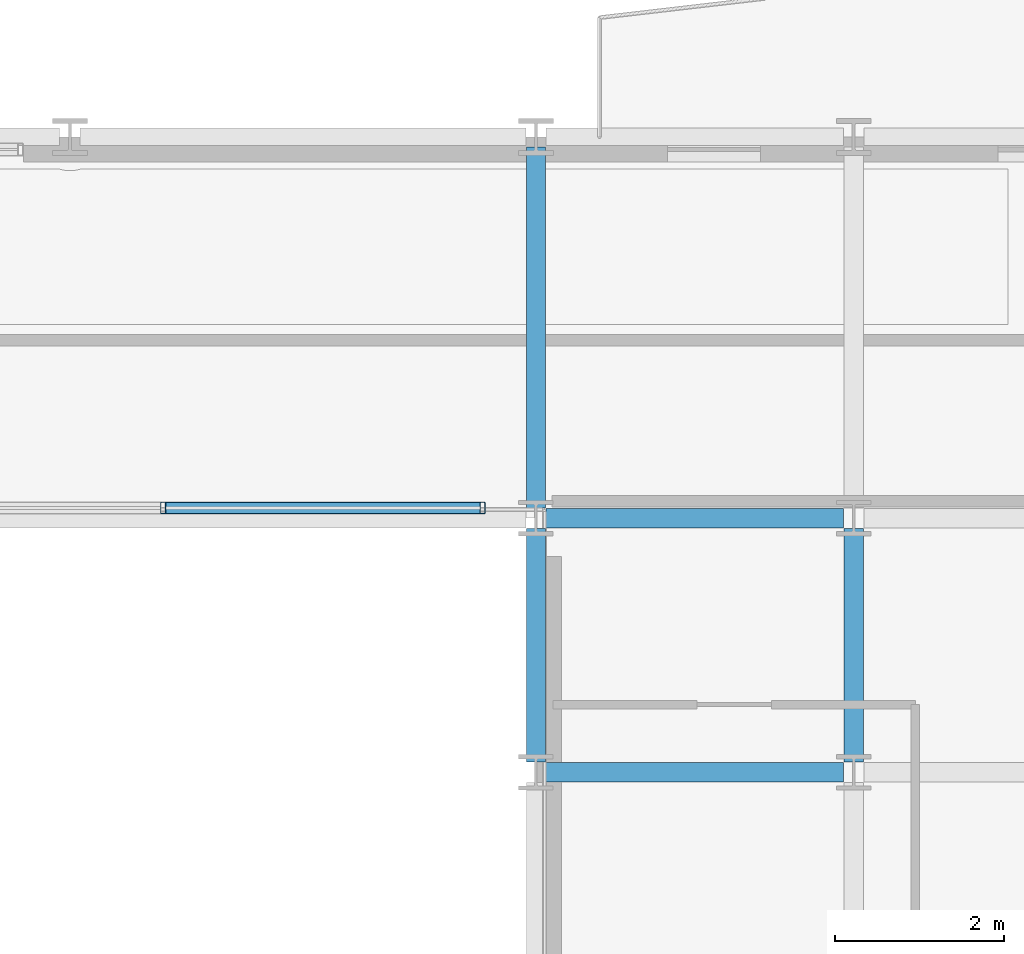
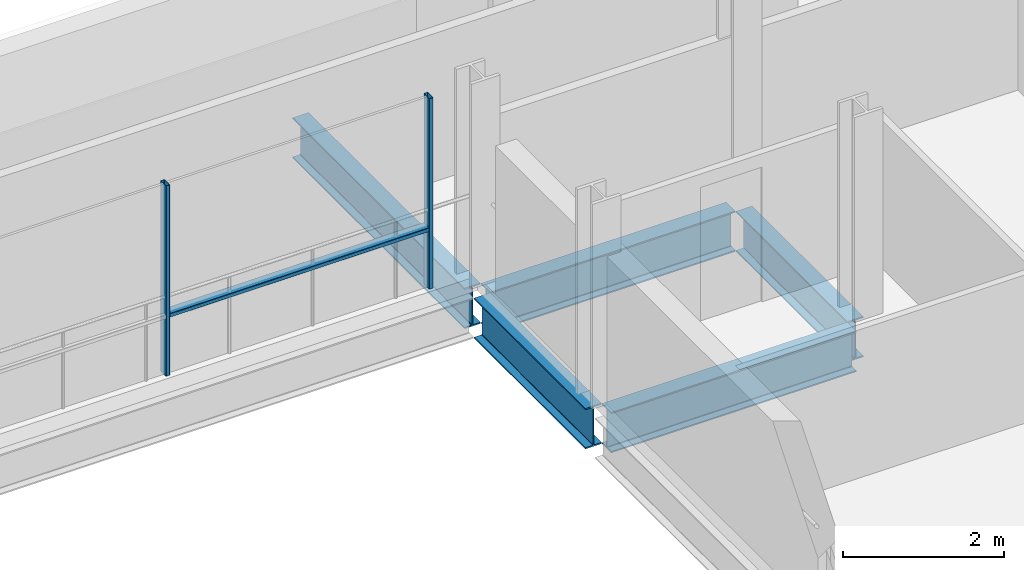
# One storey, part 17 of 41: 5 beams, 3 members, 1 element without a shape of its own.
"""IFC4 building model written with IfcOpenShell, lengths in metres."""

import ifcopenshell
import ifcopenshell.guid

model = None  # the IFC model being written
_history = None  # IfcOwnerHistory: only IFC2X3 demands one
_inside = {}  # id of a spatial element -> (the spatial element, [elements in it])
_under = {}  # id of a project, library or spatial element -> (it, [spatial elements below it])
_declared = {}  # id of a project -> (the project, [libraries it declares])
_typed = {}  # id of a type object -> (the type object, [elements of that type])
_made_of = {}  # id of a material, layer set ... -> (it, [elements and type objects made of it])


def new_model(schema):
    """Start an empty IFC model of exactly this schema.

    Asked for "IFC4X3", IfcOpenShell would pick the latest addendum, in which some entities
    have other attributes; the version numbers below select the first issue.
    IFC2X3 requires an IfcOwnerHistory on every rooted entity: one is made here for all.
    """
    global model, _history
    if schema == "IFC4X3":
        model = ifcopenshell.file(schema_version=(4, 3, 0, 0))
    else:
        model = ifcopenshell.file(schema=schema)
    _inside.clear()
    _under.clear()
    _declared.clear()
    _typed.clear()
    _made_of.clear()
    _history = None
    if model.schema == "IFC2X3":
        org = make("IfcOrganization", Name="unknown")
        user = make(
            "IfcPersonAndOrganization",
            ThePerson=make("IfcPerson", FamilyName="unknown"),
            TheOrganization=org,
        )
        app = make(
            "IfcApplication",
            ApplicationDeveloper=org,
            Version="unknown",
            ApplicationFullName="unknown",
            ApplicationIdentifier="unknown",
        )
        _history = make(
            "IfcOwnerHistory",
            OwningUser=user,
            OwningApplication=app,
            ChangeAction="ADDED",
            CreationDate=0,
        )
    return model


def make(cls, **values):
    """One entity of the class cls with the attributes given. An attribute that is None is left unset."""
    return model.create_entity(
        cls, **{name: value for name, value in values.items() if value is not None}
    )


def rooted(cls, **values):
    """An entity with a GlobalId (a new one), such as an element, a storey or a relation."""
    return make(cls, GlobalId=ifcopenshell.guid.new(), OwnerHistory=_history, **values)


def si_unit(unit_type, name, prefix=None):
    """IfcSIUnit, for example si_unit("LENGTHUNIT", "METRE", prefix="MILLI")."""
    return make("IfcSIUnit", UnitType=unit_type, Prefix=prefix, Name=name)


def assignment(units):
    """IfcUnitAssignment: the units of a project."""
    return None if units is None else make("IfcUnitAssignment", Units=units)


def point(xyz):
    """IfcCartesianPoint."""
    return None if xyz is None else make("IfcCartesianPoint", Coordinates=xyz)


def direction(xyz):
    """IfcDirection."""
    return None if xyz is None else make("IfcDirection", DirectionRatios=xyz)


def frame(location, z_axis=None, x_axis=None):
    """IfcAxis2Placement3D, a coordinate frame: its origin and axes. An axis left out is left unset."""
    return make(
        "IfcAxis2Placement3D",
        Location=point(location),
        Axis=direction(z_axis),
        RefDirection=direction(x_axis),
    )


def frame_2d(location, x_axis=None):
    """IfcAxis2Placement2D, a coordinate frame in the plane: its origin and x axis."""
    return make(
        "IfcAxis2Placement2D", Location=point(location), RefDirection=direction(x_axis)
    )


def origin():
    """The frame at (0, 0, 0) with its axes left unset."""
    return frame((0.0, 0.0, 0.0))


def origin_2d():
    """The frame at (0, 0) in the plane with its x axis left unset."""
    return frame_2d((0.0, 0.0))


def place(relative_to, where):
    """IfcLocalPlacement: puts the frame where relative to a parent placement (None: the world)."""
    return make(
        "IfcLocalPlacement", PlacementRelTo=relative_to, RelativePlacement=where
    )


def context(
    kind, dimensions, precision=None, world=None, true_north=None, identifier=None
):
    """IfcGeometricRepresentationContext, for example the 3D "Model" context."""
    return make(
        "IfcGeometricRepresentationContext",
        ContextIdentifier=identifier,
        ContextType=kind,
        CoordinateSpaceDimension=dimensions,
        Precision=precision,
        WorldCoordinateSystem=world,
        TrueNorth=true_north,
    )


def subcontext(parent, identifier, kind, view, scale=None):
    """IfcGeometricRepresentationSubContext, for example "Body" below "Model"."""
    return make(
        "IfcGeometricRepresentationSubContext",
        ContextIdentifier=identifier,
        ContextType=kind,
        ParentContext=parent,
        TargetScale=scale,
        TargetView=view,
    )


def project(units=None, contexts=None):
    """IfcProject with its units and contexts."""
    return rooted(
        "IfcProject",
        Name="project",
        RepresentationContexts=contexts,
        UnitsInContext=assignment(units),
    )


def spatial(cls, under=None, at=None, **own):
    """A site, building, storey or space (cls), placed at a placement, below another one or the project."""
    s = rooted(cls, ObjectPlacement=at, **own)
    if under is not None:
        _under.setdefault(under.id(), (under, []))[1].append(s)
    return s


def profile(cls, at=None, kind="AREA", **sizes):
    """A parametric profile (cls). Its sizes go by their IFC names, for example OverallWidth=200.0."""
    return make(cls, ProfileType=kind, Position=at, **sizes)


def hollow_rectangle(**sizes):
    """IfcRectangleHollowProfileDef."""
    return profile("IfcRectangleHollowProfileDef", **sizes)


def i_section(**sizes):
    """IfcIShapeProfileDef."""
    return profile("IfcIShapeProfileDef", **sizes)


def extrude(swept, where, along, depth):
    """IfcExtrudedAreaSolid: the profile swept, set in the frame where, extruded along a direction by depth."""
    return make(
        "IfcExtrudedAreaSolid",
        SweptArea=swept,
        Position=where,
        ExtrudedDirection=direction(along),
        Depth=depth,
    )


def shape(context_of_items, identifier, shape_type, items):
    """IfcShapeRepresentation: the items that make up one representation, for example the "Body"."""
    return make(
        "IfcShapeRepresentation",
        ContextOfItems=context_of_items,
        RepresentationIdentifier=identifier,
        RepresentationType=shape_type,
        Items=items,
    )


def material(Name=None, Category=None):
    """IfcMaterial."""
    return make("IfcMaterial", Name=Name, Category=Category)


def layer(
    of_material, thickness, ventilated=None, Name=None, Category=None, Priority=None
):
    """IfcMaterialLayer: one layer of a wall or slab, of a material (None: an air gap)."""
    return make(
        "IfcMaterialLayer",
        Material=of_material,
        LayerThickness=thickness,
        IsVentilated=ventilated,
        Name=Name,
        Category=Category,
        Priority=Priority,
    )


def layer_set(layers, Name=None):
    """IfcMaterialLayerSet."""
    return make("IfcMaterialLayerSet", MaterialLayers=layers, LayerSetName=Name)


def material_profile(
    of_material, cross_section, Name=None, Category=None, Priority=None
):
    """IfcMaterialProfile: a cross section and its material."""
    return make(
        "IfcMaterialProfile",
        Name=Name,
        Material=of_material,
        Profile=cross_section,
        Priority=Priority,
        Category=Category,
    )


def profile_set(profiles, Name=None, composite=None):
    """IfcMaterialProfileSet."""
    return make(
        "IfcMaterialProfileSet",
        Name=Name,
        MaterialProfiles=profiles,
        CompositeProfile=composite,
    )


def made_of(thing, what):
    """Note that an element or type object is made of a material, layer set ...; save() writes the relation."""
    if what is not None:
        _made_of.setdefault(what.id(), (what, []))[1].append(thing)
    return thing


def type_object(cls, material=None, **own):
    """A type object (cls), such as IfcWallType, which elements share."""
    return made_of(rooted(cls, **own), material)


def element(
    cls,
    number,
    at=None,
    inside=None,
    cuts=None,
    type_object=None,
    material=None,
    context=None,
    identifier="Body",
    shape_type=None,
    held_by="IfcProductDefinitionShape",
    body=None,
    shapes=None,
    **own,
):
    """One element of the class cls, such as IfcWall. Its Tag is "e" and its number.

    at: its placement. inside: the storey or other place that contains it. cuts: it is an
    opening in that element (IfcRelVoidsElement). A single representation is given by context,
    identifier, shape_type and body (its items); several are given by shapes. held_by: the class
    of the entity that holds the representations. save() writes the other relations.
    """
    e = rooted(cls, Tag="e%d" % number, ObjectPlacement=at, **own)
    if body is not None:
        shapes = [shape(context, identifier, shape_type, body)]
    if shapes is not None:
        e.Representation = make(held_by, Representations=shapes)
    if inside is not None:
        _inside.setdefault(inside.id(), (inside, []))[1].append(e)
    if cuts is not None:
        rooted(
            "IfcRelVoidsElement", RelatingBuildingElement=cuts, RelatedOpeningElement=e
        )
    if type_object is not None:
        _typed.setdefault(type_object.id(), (type_object, []))[1].append(e)
    return made_of(e, material)


def aggregate(whole, parts):
    """IfcRelAggregates: a whole, such as a stair, and the parts it consists of."""
    return rooted("IfcRelAggregates", RelatingObject=whole, RelatedObjects=parts)


def save(model, path):
    """Write the relations noted so far, then the file.

    IfcRelAggregates (storeys below a building ...), IfcRelContainedInSpatialStructure (elements
    in a storey), IfcRelDefinesByType, IfcRelAssociatesMaterial and IfcRelDeclares: one each for
    every whole, place, type object, material and project.
    """
    for whole, parts in _under.values():
        aggregate(whole, parts)
    for where, things in _inside.values():
        rooted(
            "IfcRelContainedInSpatialStructure",
            RelatedElements=things,
            RelatingStructure=where,
        )
    for kind, things in _typed.values():
        rooted("IfcRelDefinesByType", RelatedObjects=things, RelatingType=kind)
    for what, things in _made_of.values():
        rooted("IfcRelAssociatesMaterial", RelatedObjects=things, RelatingMaterial=what)
    for by, libraries in _declared.values():
        rooted("IfcRelDeclares", RelatingContext=by, RelatedDefinitions=libraries)
    model.write(path)


model = new_model("IFC4")

# Units and contexts
model_context = context("Model", 3, precision=1e-05, world=origin(), true_north=direction((0.0, 1.0)))
body_context = subcontext(model_context, "Body", "Model", "MODEL_VIEW")
ifc_project = project(units=[si_unit("LENGTHUNIT", "METRE"), si_unit("AREAUNIT", "SQUARE_METRE"), si_unit("VOLUMEUNIT", "CUBIC_METRE"), si_unit("PLANEANGLEUNIT", "RADIAN"), si_unit("MASSUNIT", "GRAM", prefix="KILO")], contexts=[model_context])

# Site, building, storey
site_placement = place(None, origin())
site = spatial("IfcSite", under=ifc_project, at=site_placement, CompositionType="ELEMENT")
building_placement = place(site_placement, origin())
building = spatial("IfcBuilding", under=site, at=building_placement, Name="Brevholm Reach", CompositionType="ELEMENT")
storey_placement = place(building_placement, frame((0.0, 0.0, 112.800048828125)))
storey = spatial("IfcBuildingStorey", under=building, at=storey_placement, Name="L33", CompositionType="ELEMENT", Elevation=112.800048828125)

# Beams
ifc_material_1 = material(Name="Structural Steel S355J2", Category="steel")
ifc_material_profile_1 = material_profile(ifc_material_1, i_section(OverallWidth=0.22900390625, OverallDepth=0.6123046875, WebThickness=0.011962890625, FlangeThickness=0.01953125, FilletRadius=0.0126953125, at=origin_2d()), Name="UKB 610x229x125")
ifc_profile_set_1 = profile_set([ifc_material_profile_1], Name="Structural Steel S355J2")
beam_type = type_object("IfcBeamType", Name="BM-SP610", PredefinedType="SPANDREL", material=ifc_profile_set_1)
for number, where, z_axis, x_axis, name in (
    (1, (38.3701171875, 23.5, -0.526123046875), (1.0, 0.0, 0.0), (0.0, 1.0, 0.0), "L33 SP-01 Framing Beam"),
    (2, (38.3701171875, 26.5, -0.526123046875), (1.0, 0.0, 0.0), (0.0, 1.0, 0.0), "L33 SP-01 Framing Beam"),
):
    element("IfcBeam", number, at=place(storey_placement, frame(where, z_axis=z_axis, x_axis=x_axis)), inside=storey, type_object=beam_type, Name=name, PredefinedType="SPANDREL", context=body_context, shape_type="SweptSolid", body=[
        extrude(i_section(OverallWidth=0.22900390625, OverallDepth=0.6123046875, WebThickness=0.011962890625, FlangeThickness=0.01953125, FilletRadius=0.0126953125, at=origin_2d()), origin(), (0.0, 0.0, 1.0), 3.509765625),
    ])
beam_1_placement = place(storey_placement, frame((38.25, 23.6201171875, -0.526123046875), z_axis=(0.0, 1.0, 0.0), x_axis=(-1.0, 0.0, 0.0)))
element("IfcBeam", 3, at=beam_1_placement, inside=storey, type_object=beam_type, Name="L33 SP-01 Framing Beam", PredefinedType="SPANDREL", context=body_context, shape_type="SweptSolid", body=[
    extrude(i_section(OverallWidth=0.22900390625, OverallDepth=0.6123046875, WebThickness=0.011962890625, FlangeThickness=0.01953125, FilletRadius=0.0126953125, at=origin_2d()), origin(), (0.0, 0.0, 1.0), 2.759765625),
])
beam_2_placement = place(storey_placement, frame((38.25, 26.6201171875, -0.526123046875), z_axis=(0.0, 1.0, 0.0), x_axis=(-1.0, 0.0, 0.0)))
element("IfcBeam", 4, at=beam_2_placement, inside=storey, type_object=beam_type, Name="L33 SP-01 Framing Beam", PredefinedType="SPANDREL", context=body_context, shape_type="SweptSolid", body=[
    extrude(i_section(OverallWidth=0.22900390625, OverallDepth=0.6123046875, WebThickness=0.011962890625, FlangeThickness=0.01953125, FilletRadius=0.0126953125, at=origin_2d()), origin(), (0.0, 0.0, 1.0), 4.259765625),
])
beam_3_placement = place(storey_placement, frame((42.0, 23.6201171875, -0.526123046875), z_axis=(0.0, 1.0, 0.0), x_axis=(-1.0, 0.0, 0.0)))
element("IfcBeam", 5, at=beam_3_placement, inside=storey, type_object=beam_type, Name="L33 SP-01 Framing Beam", PredefinedType="SPANDREL", context=body_context, shape_type="SweptSolid", body=[
    extrude(i_section(OverallWidth=0.22900390625, OverallDepth=0.6123046875, WebThickness=0.011962890625, FlangeThickness=0.01953125, FilletRadius=0.0126953125, at=origin_2d()), origin(), (0.0, 0.0, 1.0), 2.759765625),
])

# Curtain wall, members
ifc_material_2 = material(Name="Dark Anodised Aluminium 6063-T6 and Solar-Control Glass", Category="aluminium")
ifc_layer = layer(ifc_material_2, 0.139892578125)
ifc_layer_set = layer_set([ifc_layer], Name="Dark Anodised Aluminium 6063-T6 and Solar-Control Glass")
curtain_wall_type = type_object("IfcCurtainWallType", Name="CW-02", PredefinedType="NOTDEFINED", material=ifc_layer_set)
curtain_wall_placement = place(storey_placement, origin())
curtain_wall = element("IfcCurtainWall", 6, at=curtain_wall_placement, inside=storey, type_object=curtain_wall_type, Name="L33 Curtain Wall CW-02", PredefinedType="NOTDEFINED")
ifc_material_3 = material(Name="Dark Anodised Aluminium 6063-T6", Category="aluminium")
ifc_material_profile_2 = material_profile(ifc_material_3, hollow_rectangle(XDim=0.06005859375, YDim=0.139892578125, WallThickness=0.0048828125, InnerFilletRadius=0.0048828125, OuterFilletRadius=0.010009765625, at=origin_2d()), Name="RHS 140x60x5")
ifc_profile_set_2 = profile_set([ifc_material_profile_2], Name="Dark Anodised Aluminium 6063-T6")
member_type_1 = type_object("IfcMemberType", Name="CWM-140", PredefinedType="MULLION", material=ifc_profile_set_2)
member_1_placement = place(storey_placement, frame((37.6201171875, 26.6201171875, 0.0), z_axis=(0.0, 0.0, 1.0), x_axis=(-1.0, 0.0, 0.0)))
member_1 = element("IfcMember", 7, at=member_1_placement, type_object=member_type_1, Name="CM-140 Mullion 1", PredefinedType="MULLION", context=body_context, shape_type="SweptSolid", body=[
    extrude(hollow_rectangle(XDim=0.06005859375, YDim=0.139892578125, WallThickness=0.0048828125, InnerFilletRadius=0.0048828125, OuterFilletRadius=0.010009765625, at=origin_2d()), origin(), (0.0, 0.0, 1.0), 2.8798828125),
])
member_2_placement = place(storey_placement, frame((33.85009765625, 26.6201171875, 0.0), z_axis=(0.0, 0.0, 1.0), x_axis=(-1.0, 0.0, 0.0)))
member_2 = element("IfcMember", 8, at=member_2_placement, type_object=member_type_1, Name="CM-140 Mullion 2", PredefinedType="MULLION", context=body_context, shape_type="SweptSolid", body=[
    extrude(hollow_rectangle(XDim=0.06005859375, YDim=0.139892578125, WallThickness=0.0048828125, InnerFilletRadius=0.0048828125, OuterFilletRadius=0.010009765625, at=origin_2d()), origin(), (0.0, 0.0, 1.0), 2.8798828125),
])
ifc_material_4 = material(Name="Dark Anodised Aluminium 6063-T6", Category="aluminium")
ifc_material_profile_3 = material_profile(ifc_material_4, hollow_rectangle(XDim=0.06005859375, YDim=0.139892578125, WallThickness=0.0048828125, InnerFilletRadius=0.0048828125, OuterFilletRadius=0.010009765625, at=origin_2d()), Name="RHS 140x60x5")
ifc_profile_set_3 = profile_set([ifc_material_profile_3], Name="Dark Anodised Aluminium 6063-T6")
member_type_2 = type_object("IfcMemberType", Name="CWT-140", PredefinedType="NOTDEFINED", material=ifc_profile_set_3)
member_3_placement = place(storey_placement, frame((37.590087890625, 26.6201171875, 0.89990234375), z_axis=(-1.0, 0.0, 0.0), x_axis=(0.0, 0.0, 1.0)))
member_3 = element("IfcMember", 9, at=member_3_placement, type_object=member_type_2, Name="CT-140 Transom 1.1", ObjectType="TRANSOM", PredefinedType="USERDEFINED", context=body_context, shape_type="SweptSolid", body=[
    extrude(hollow_rectangle(XDim=0.06005859375, YDim=0.139892578125, WallThickness=0.0048828125, InnerFilletRadius=0.0048828125, OuterFilletRadius=0.010009765625, at=origin_2d()), origin(), (0.0, 0.0, 1.0), 3.710205078125),
])
aggregate(curtain_wall, [member_1, member_2, member_3])

save(model, "model.ifc")
